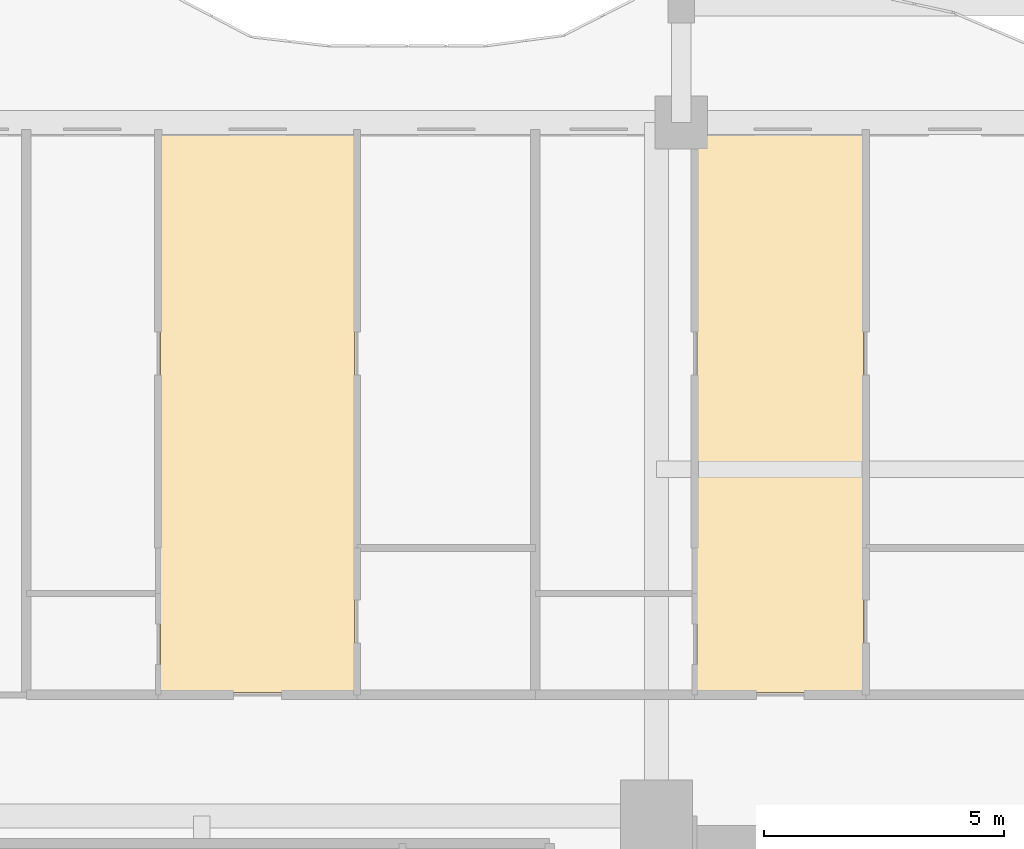
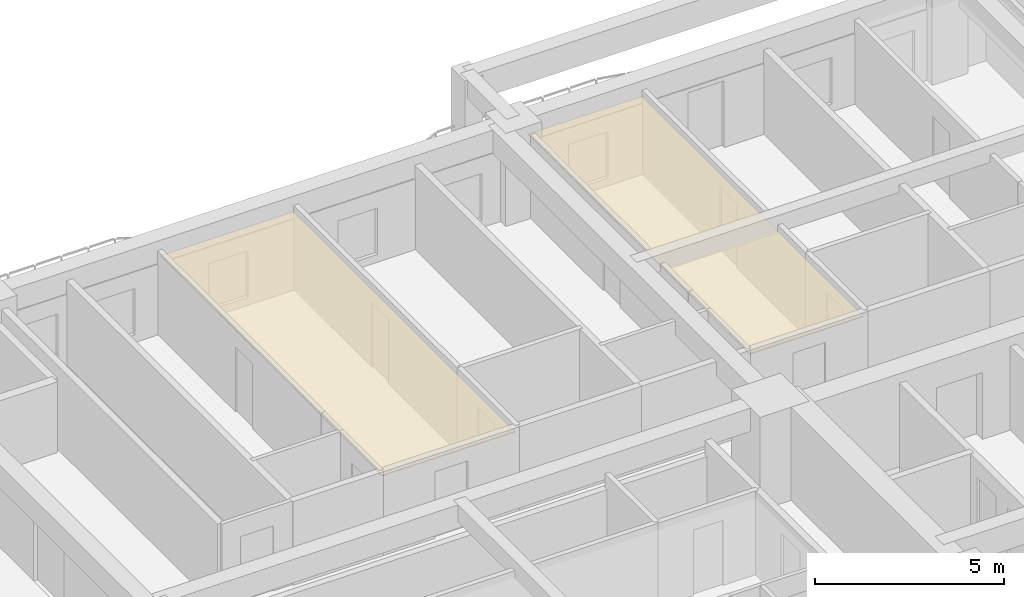
# One storey, part 14 of 15: 2 coverings.
"""IFC4 building model written with IfcOpenShell, lengths in metres."""

from ifc_helpers import new_model, si_unit, direction, frame, origin, place, context, subcontext, project, spatial, polyline, outline, extrude, material, layer, layer_set, type_object, element, save


model = new_model("IFC4")

# Units and contexts
model_context = context("Model", 3, precision=1e-05, world=origin(), true_north=direction((0.0, 1.0)))
body_context = subcontext(model_context, "Body", "Model", "MODEL_VIEW")
ifc_project = project(units=[si_unit("LENGTHUNIT", "METRE"), si_unit("AREAUNIT", "SQUARE_METRE"), si_unit("VOLUMEUNIT", "CUBIC_METRE"), si_unit("PLANEANGLEUNIT", "RADIAN"), si_unit("MASSUNIT", "GRAM", prefix="KILO")], contexts=[model_context])

# Site, building, storey
site_placement = place(None, origin())
site = spatial("IfcSite", under=ifc_project, at=site_placement, CompositionType="ELEMENT")
building_placement = place(site_placement, origin())
building = spatial("IfcBuilding", under=site, at=building_placement, Name="Saelheon Loggia Tower", CompositionType="ELEMENT")
storey_placement = place(building_placement, frame((0.0, 0.0, 67.39990234375)))
storey = spatial("IfcBuildingStorey", under=building, at=storey_placement, Name="L21", CompositionType="ELEMENT", Elevation=67.39990234375)

# Coverings
ifc_material = material(Name="Mineral-Fibre Acoustic Ceiling Board", Category="gypsum")
ifc_layer = layer(ifc_material, 0.02490234375)
ifc_layer_set = layer_set([ifc_layer], Name="Mineral-Fibre Acoustic Ceiling Board")
covering_type = type_object("IfcCoveringType", Name="Cov_Ceiling_Acoustic", PredefinedType="CEILING", material=ifc_layer_set)
covering_1_placement = place(storey_placement, frame((0.0, 0.0, 2.445068359375)))
element("IfcCovering", 1, at=covering_1_placement, inside=storey, type_object=covering_type, Name="L21 Acoustic Suspended Ceiling", PredefinedType="CEILING", context=body_context, shape_type="SweptSolid", body=[
    extrude(outline(polyline([(20.6298828125, 39.10009765625), (24.6796875, 39.10009765625), (24.6796875, 50.800048828125), (20.6298828125, 50.800048828125), (20.6298828125, 39.10009765625)])), origin(), (0.0, 0.0, 1.0), 0.025146484375),
])
covering_2_placement = place(storey_placement, frame((0.0, 0.0, 2.445068359375)))
element("IfcCovering", 2, at=covering_2_placement, inside=storey, type_object=covering_type, Name="L21 Acoustic Suspended Ceiling", PredefinedType="CEILING", context=body_context, shape_type="SweptSolid", body=[
    extrude(outline(polyline([(31.830078125, 39.10009765625), (35.30224609375, 39.10009765625), (35.30224609375, 50.800048828125), (31.830078125, 50.800048828125), (31.830078125, 39.10009765625)])), origin(), (0.0, 0.0, 1.0), 0.025146484375),
])

save(model, "model.ifc")
